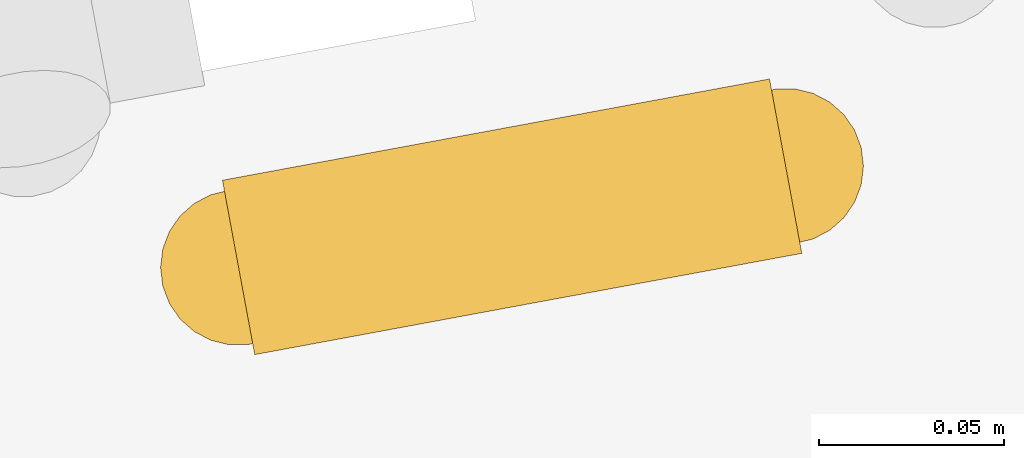
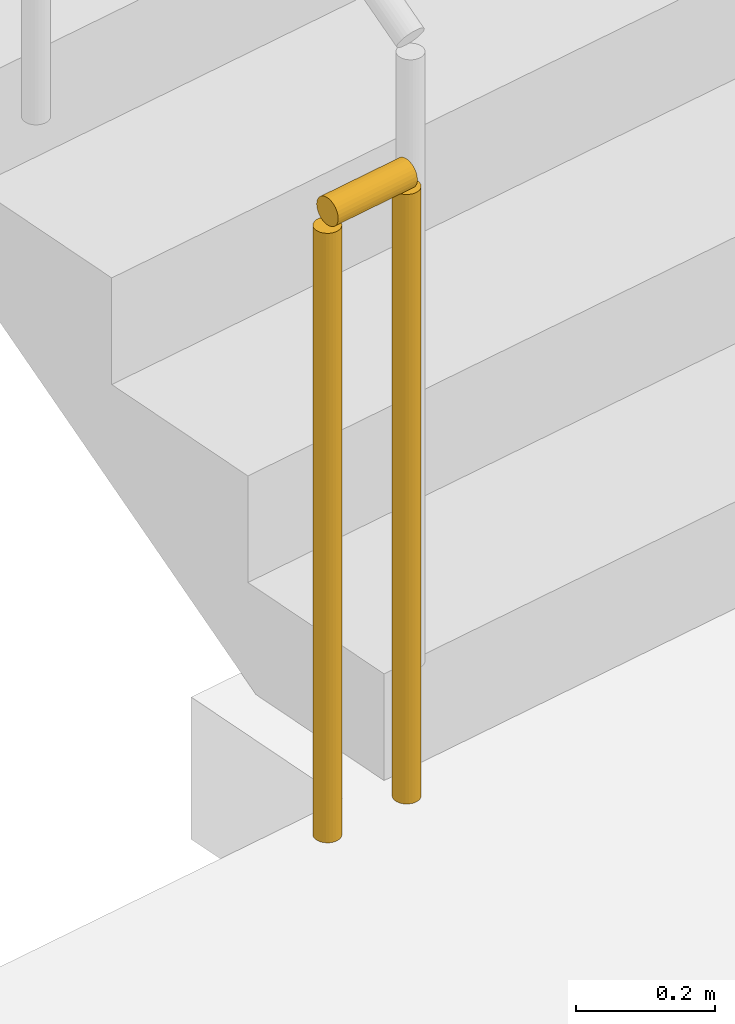
# One storey, part 120 of 145: 1 railing.
"""IFC4 building model written with IfcOpenShell, lengths in metres."""

from ifc_helpers import new_model, si_unit, direction, frame, origin, origin_2d, place, context, subcontext, project, spatial, circle, extrude, material, type_object, element, save


model = new_model("IFC4")

# Units and contexts
model_context = context("Model", 3, precision=1e-05, world=origin(), true_north=direction((0.0, 1.0)))
body_context = subcontext(model_context, "Body", "Model", "MODEL_VIEW")
ifc_project = project(units=[si_unit("LENGTHUNIT", "METRE"), si_unit("AREAUNIT", "SQUARE_METRE"), si_unit("VOLUMEUNIT", "CUBIC_METRE"), si_unit("PLANEANGLEUNIT", "RADIAN"), si_unit("MASSUNIT", "GRAM", prefix="KILO")], contexts=[model_context])

# Site, building, storey
site_placement = place(None, origin())
site = spatial("IfcSite", under=ifc_project, at=site_placement, CompositionType="ELEMENT")
building_placement = place(site_placement, origin())
building = spatial("IfcBuilding", under=site, at=building_placement, Name="Mphavela Belvedere Stadium", CompositionType="ELEMENT")
storey_placement = place(building_placement, frame((0.0, 0.0, 10.199951171875)))
storey = spatial("IfcBuildingStorey", under=building, at=storey_placement, Name="L02", CompositionType="ELEMENT", Elevation=10.199951171875)

# Railing
ifc_material = material(Name="Painted galvanised steel stair guardrail", Category="steel")
railing_type = type_object("IfcRailingType", Name="RAL-GUARD-1120", PredefinedType="GUARDRAIL", material=ifc_material)
railing_placement = place(storey_placement, frame((18.22998046875, 62.853271484375, 0.0)))
element("IfcRailing", 1, at=railing_placement, inside=storey, type_object=railing_type, Name="L02 ST-C09 stair guard 4", PredefinedType="GUARDRAIL", context=body_context, shape_type="SweptSolid", body=[
    extrude(circle(Radius=0.02392578125, at=origin_2d()), frame((0.0, 0.0, 1.09619140625), z_axis=(-0.983292780963, -0.182031060277, 0.0), x_axis=(0.182031060277, -0.983292780963, 0.0)), (0.0, 0.0, 1.0), 0.150146484375),
    extrude(circle(Radius=0.02099609375, at=origin_2d()), origin(), (0.0, 0.0, 1.0), 1.072021484375),
    extrude(circle(Radius=0.02099609375, at=origin_2d()), frame((-0.147705078125, -0.02734375, 0.0)), (0.0, 0.0, 1.0), 1.072021484375),
])

save(model, "model.ifc")
